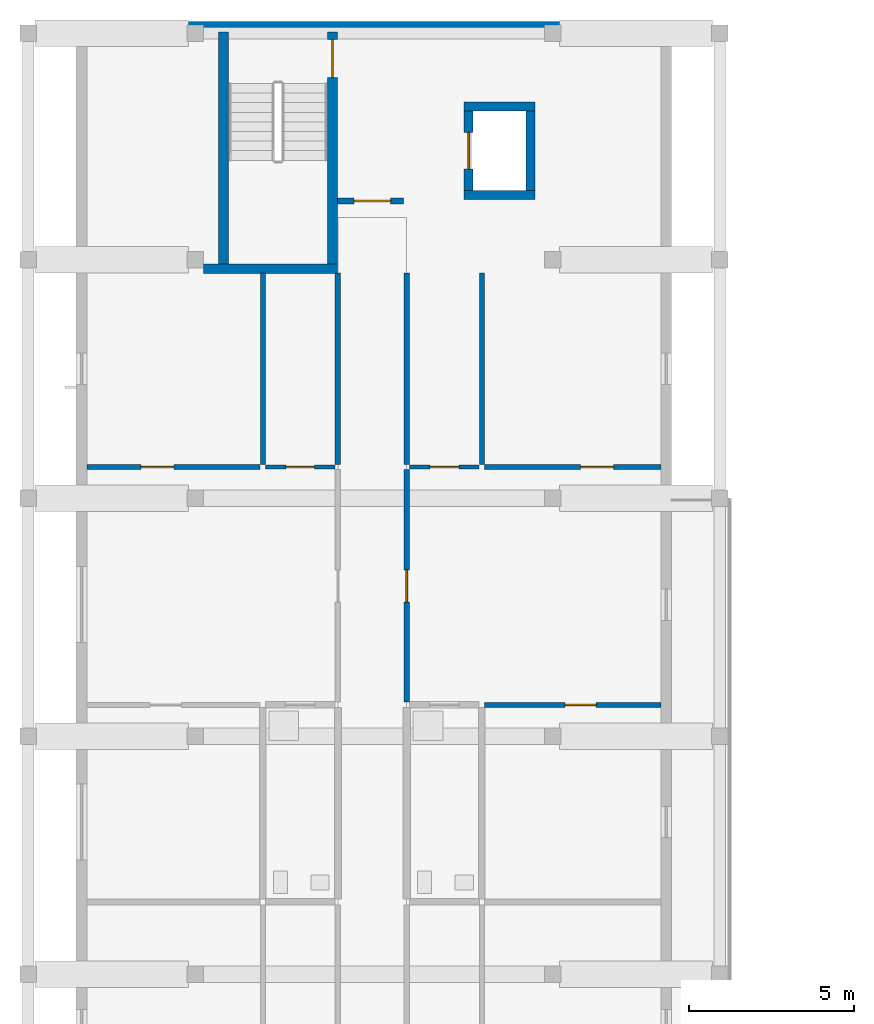
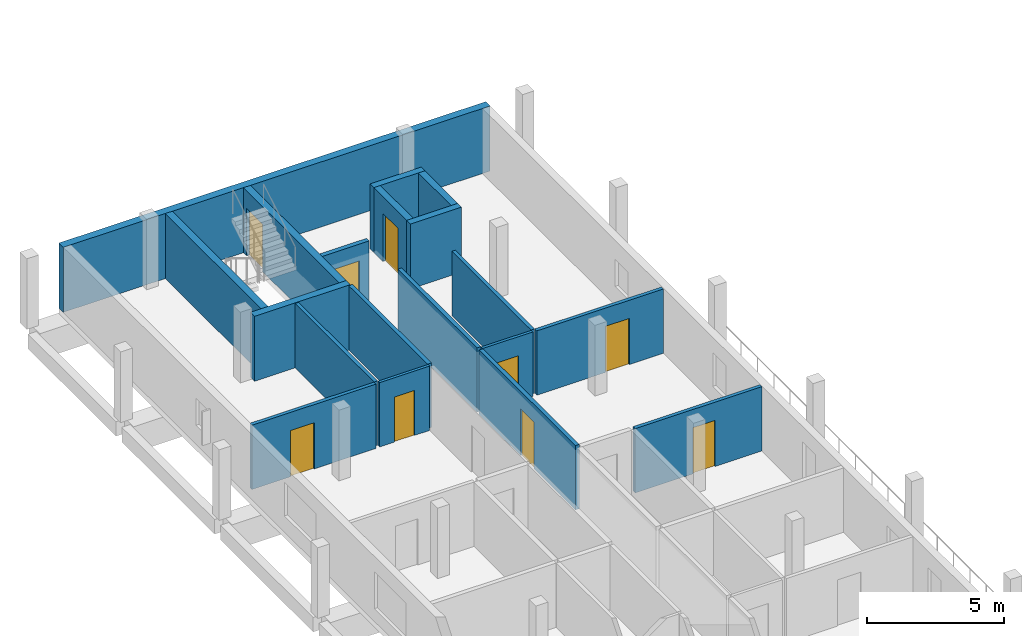
# One storey, part 14 of 29: 19 walls, 9 doors, 9 openings.
"""IFC4 building model written with IfcOpenShell, lengths in metres."""

from ifc_helpers import new_model, si_unit, derived_unit, direction, frame, frame_2d, origin, place, context, subcontext, project, spatial, rectangle, extrude, material, layer, layer_set, type_object, element, fill, save


model = new_model("IFC4")

# Units and contexts
model_context = context("Model", 3, precision=1e-05, world=origin(), true_north=direction((0.0, 1.0)))
body_context = subcontext(model_context, "Body", "Model", "MODEL_VIEW")
ifc_project = project(units=[si_unit("LENGTHUNIT", "METRE"), si_unit("AREAUNIT", "SQUARE_METRE"), si_unit("VOLUMEUNIT", "CUBIC_METRE"), si_unit("PLANEANGLEUNIT", "RADIAN"), si_unit("MASSUNIT", "GRAM", prefix="KILO"), derived_unit("THERMALTRANSMITTANCEUNIT", [(si_unit("MASSUNIT", "GRAM", prefix="KILO"), 1), (si_unit("TIMEUNIT", "SECOND"), -3), (si_unit("THERMODYNAMICTEMPERATUREUNIT", "KELVIN"), -1)])], contexts=[model_context])

# Site, building, storey
site_placement = place(None, origin())
site = spatial("IfcSite", under=ifc_project, at=site_placement, CompositionType="ELEMENT")
building_placement = place(site_placement, origin())
building = spatial("IfcBuilding", under=site, at=building_placement, Name="Ochrekiln Boulevard Commons", CompositionType="ELEMENT")
storey_placement = place(building_placement, frame((0.0, 0.0, 37.27490234375)))
storey = spatial("IfcBuildingStorey", under=building, at=storey_placement, Name="L11", CompositionType="ELEMENT", Elevation=37.27490234375)

# Walls
ifc_material_1 = material(Name="Desert ochre clinker brick masonry ASTM C216 Grade SW", Category="masonry")
ifc_layer_1 = layer(ifc_material_1, 0.320068359375)
ifc_layer_set_1 = layer_set([ifc_layer_1], Name="Desert ochre clinker brick masonry ASTM C216 Grade SW")
wall_type_1 = type_object("IfcWallType", Name="WL-EXT-OCHRE-320", PredefinedType="SOLIDWALL", material=ifc_layer_set_1)
wall_1_placement = place(storey_placement, frame((1.800048828125, 118.639892578125, 0.0), z_axis=(0.0, 0.0, 1.0), x_axis=(1.0, 0.0, 0.0)))
element("IfcWall", 1, at=wall_1_placement, inside=storey, type_object=wall_type_1, Name="Block A L11 N Exterior Wall", PredefinedType="SOLIDWALL", context=body_context, shape_type="SweptSolid", body=[
    extrude(rectangle(XDim=18.0, YDim=0.320068359375, at=frame_2d((9.0, 0.0))), origin(), (0.0, 0.0, 1.0), 2.900146484375),
])
ifc_material_2 = material(Name="Fire-rated Type X gypsum board on steel studs", Category="steel")
ifc_layer_2 = layer(ifc_material_2, 0.1650390625)
ifc_layer_set_2 = layer_set([ifc_layer_2], Name="Fire-rated Type X gypsum board on steel studs")
wall_type_2 = type_object("IfcWallType", Name="WL-PT-CORR-165", PredefinedType="PARTITIONING", material=ifc_layer_set_2)
wall_2_placement = place(storey_placement, frame((9.7099609375, 105.4150390625, 0.0), z_axis=(0.0, 0.0, 1.0), x_axis=(0.0, 1.0, 0.0)))
element("IfcWall", 2, at=wall_2_placement, inside=storey, type_object=wall_type_2, Name="L11 Interior Wall W-PC165", PredefinedType="PARTITIONING", context=body_context, shape_type="SweptSolid", body=[
    extrude(rectangle(XDim=5.784912109375, YDim=0.1650390625, at=frame_2d((2.892578125, 0.0))), origin(), (0.0, 0.0, 1.0), 2.8701171875),
])

# Wall, opening, door
wall_3_placement = place(storey_placement, frame((11.7900390625, 98.22705078125, 0.0), z_axis=(0.0, 0.0, 1.0), x_axis=(0.0, 1.0, 0.0)))
wall_3 = element("IfcWall", 3, at=wall_3_placement, inside=storey, type_object=wall_type_2, Name="L11 Interior Wall W-PC165", PredefinedType="PARTITIONING", context=body_context, shape_type="SweptSolid", body=[
    extrude(rectangle(XDim=7.02783203125, YDim=0.1650390625, at=frame_2d((3.513916015625, 0.0))), origin(), (0.0, 0.0, 1.0), 2.8701171875),
])
opening_1_placement = place(wall_3_placement, frame((3.02392578125, 0.0, 0.0)))
opening_1 = element("IfcOpeningElement", 4, at=opening_1_placement, cuts=wall_3, Name="Opening D-L11-1245", PredefinedType="OPENING", context=body_context, shape_type="SweptSolid", body=[
    extrude(rectangle(XDim=0.97998046875, YDim=2.080078125, at=frame_2d((0.489990234375, 1.0400390625))), frame((0.0, 0.092529296875, 0.0), z_axis=(0.0, -1.0, 0.0), x_axis=(1.0, 0.0, 0.0)), (0.0, 0.0, 1.0), 0.18505859375),
])
ifc_material_3 = material(Name="Solid core architectural oak door leaf")
door_type_1 = type_object("IfcDoorType", Name="DR-APT-60", OperationType="NOTDEFINED", PredefinedType="DOOR", material=ifc_material_3)
door_1_placement = place(opening_1_placement, frame((0.97998046875, 0.0, 0.0), z_axis=(0.0, 0.0, 1.0), x_axis=(-1.0, 0.0, 0.0)))
door_1 = element("IfcDoor", 5, at=door_1_placement, inside=storey, type_object=door_type_1, Name="L11 Interior Door to Two-Bedroom Apartment Living Room", OperationType="SINGLE_SWING_LEFT", OverallHeight=2.080078125, OverallWidth=0.97998046875, PredefinedType="DOOR", context=body_context, shape_type="SweptSolid", body=[
    extrude(rectangle(XDim=0.97998046875, YDim=2.080078125, at=frame_2d((0.489990234375, 1.0400390625))), frame((0.0, 0.02490234375, 0.0), z_axis=(0.0, -1.0, 0.0), x_axis=(1.0, 0.0, 0.0)), (0.0, 0.0, 1.0), 0.050048828125),
])
fill(opening_1, door_1)

# Wall
wall_4_placement = place(storey_placement, frame((11.7900390625, 105.4150390625, 0.0), z_axis=(0.0, 0.0, 1.0), x_axis=(0.0, 1.0, 0.0)))
element("IfcWall", 6, at=wall_4_placement, inside=storey, type_object=wall_type_2, Name="L11 Interior Wall W-PC165", PredefinedType="PARTITIONING", context=body_context, shape_type="SweptSolid", body=[
    extrude(rectangle(XDim=5.784912109375, YDim=0.1650390625, at=frame_2d((2.892578125, 0.0))), origin(), (0.0, 0.0, 1.0), 2.8701171875),
])

# Wall, opening, door
ifc_layer_3 = layer(ifc_material_2, 0.18994140625)
ifc_layer_set_3 = layer_set([ifc_layer_3], Name="Fire-rated Type X gypsum board on steel studs")
wall_type_3 = type_object("IfcWallType", Name="WL-PT-LBY-190", PredefinedType="PARTITIONING", material=ifc_layer_set_3)
wall_5_placement = place(storey_placement, frame((9.699951171875, 113.3798828125, 0.0), z_axis=(0.0, 0.0, 1.0), x_axis=(1.0, 0.0, 0.0)))
wall_5 = element("IfcWall", 7, at=wall_5_placement, inside=storey, type_object=wall_type_3, Name="L11 Interior Wall W-PL190", PredefinedType="PARTITIONING", context=body_context, shape_type="SweptSolid", body=[
    extrude(rectangle(XDim=2.0, YDim=0.18994140625, at=frame_2d((1.0, 0.0))), origin(), (0.0, 0.0, 1.0), 2.8701171875),
])
opening_2_placement = place(wall_5_placement, frame((0.5, 0.0, 0.0)))
opening_2 = element("IfcOpeningElement", 8, at=opening_2_placement, cuts=wall_5, Name="Opening D-L11-1240", PredefinedType="OPENING", context=body_context, shape_type="SweptSolid", body=[
    extrude(rectangle(XDim=1.10009765625, YDim=2.1201171875, at=frame_2d((0.550048828125, 1.06005859375))), frame((0.0, 0.10498046875, 0.0), z_axis=(0.0, -1.0, 0.0), x_axis=(1.0, 0.0, 0.0)), (0.0, 0.0, 1.0), 0.2099609375),
])
ifc_material_4 = material(Name="Hollow metal fire-rated steel door assembly", Category="steel")
door_type_2 = type_object("IfcDoorType", Name="DR-LOBBY-60", OperationType="NOTDEFINED", PredefinedType="DOOR", material=ifc_material_4)
door_2_placement = place(opening_2_placement, origin())
door_2 = element("IfcDoor", 9, at=door_2_placement, inside=storey, type_object=door_type_2, Name="L11 Interior Door to Fire Service Access Elevator Lobby", OperationType="SINGLE_SWING_RIGHT", OverallHeight=2.1201171875, OverallWidth=1.10009765625, PredefinedType="DOOR", context=body_context, shape_type="SweptSolid", body=[
    extrude(rectangle(XDim=1.10009765625, YDim=2.1201171875, at=frame_2d((0.550048828125, 1.06005859375))), frame((0.0, 0.02490234375, 0.0), z_axis=(0.0, -1.0, 0.0), x_axis=(1.0, 0.0, 0.0)), (0.0, 0.0, 1.0), 0.050048828125),
])
fill(opening_2, door_2)

ifc_layer_4 = layer(ifc_material_2, 0.1201171875)
ifc_layer_set_4 = layer_set([ifc_layer_4], Name="Fire-rated Type X gypsum board on steel studs")
wall_type_4 = type_object("IfcWallType", Name="WL-PT-LGT-120", PredefinedType="PARTITIONING", material=ifc_layer_set_4)
wall_6_placement = place(storey_placement, frame((7.52001953125, 105.3349609375, 0.0), z_axis=(0.0, 0.0, 1.0), x_axis=(1.0, 0.0, 0.0)))
wall_6 = element("IfcWall", 10, at=wall_6_placement, inside=storey, type_object=wall_type_4, Name="L11 Interior Wall W-PL120", PredefinedType="PARTITIONING", context=body_context, shape_type="SweptSolid", body=[
    extrude(rectangle(XDim=2.10791015625, YDim=0.1201171875, at=frame_2d((1.053955078125, 0.0))), origin(), (0.0, 0.0, 1.0), 2.8701171875),
])
opening_3_placement = place(wall_6_placement, frame((0.625, 0.0, 0.0)))
opening_3 = element("IfcOpeningElement", 11, at=opening_3_placement, cuts=wall_6, Name="Opening D-L11-1251", PredefinedType="OPENING", context=body_context, shape_type="SweptSolid", body=[
    extrude(rectangle(XDim=0.85009765625, YDim=2.010009765625, at=frame_2d((0.425048828125, 1.0048828125))), frame((0.0, 0.070068359375, 0.0), z_axis=(0.0, -1.0, 0.0), x_axis=(1.0, 0.0, 0.0)), (0.0, 0.0, 1.0), 0.14013671875),
])
door_type_3 = type_object("IfcDoorType", Name="DR-INT-KIT-085", OperationType="NOTDEFINED", PredefinedType="DOOR", material=ifc_material_3)
door_3_placement = place(opening_3_placement, origin())
door_3 = element("IfcDoor", 12, at=door_3_placement, inside=storey, type_object=door_type_3, Name="L11 Interior Door to Apartment Kitchen", OperationType="SINGLE_SWING_LEFT", OverallHeight=2.010009765625, OverallWidth=0.85009765625, PredefinedType="DOOR", context=body_context, shape_type="SweptSolid", body=[
    extrude(rectangle(XDim=0.85009765625, YDim=2.010009765625, at=frame_2d((0.425048828125, 1.0048828125))), frame((0.0, 0.02490234375, 0.0), z_axis=(0.0, -1.0, 0.0), x_axis=(1.0, 0.0, 0.0)), (0.0, 0.0, 1.0), 0.050048828125),
])
fill(opening_3, door_3)

wall_7_placement = place(storey_placement, frame((11.8720703125, 105.3349609375, 0.0), z_axis=(0.0, 0.0, 1.0), x_axis=(1.0, 0.0, 0.0)))
wall_7 = element("IfcWall", 13, at=wall_7_placement, inside=storey, type_object=wall_type_4, Name="L11 Interior Wall W-PL120", PredefinedType="PARTITIONING", context=body_context, shape_type="SweptSolid", body=[
    extrude(rectangle(XDim=2.10791015625, YDim=0.1201171875, at=frame_2d((1.053955078125, 0.0))), origin(), (0.0, 0.0, 1.0), 2.8701171875),
])
opening_4_placement = place(wall_7_placement, frame((0.617919921875, 0.0, 0.0)))
opening_4 = element("IfcOpeningElement", 14, at=opening_4_placement, cuts=wall_7, Name="Opening D-L11-1259", PredefinedType="OPENING", context=body_context, shape_type="SweptSolid", body=[
    extrude(rectangle(XDim=0.8798828125, YDim=2.02001953125, at=frame_2d((0.43994140625, 1.010009765625))), frame((0.0, 0.070068359375, 0.0), z_axis=(0.0, -1.0, 0.0), x_axis=(1.0, 0.0, 0.0)), (0.0, 0.0, 1.0), 0.14013671875),
])
door_type_4 = type_object("IfcDoorType", Name="DR-INT-KIT-088", OperationType="NOTDEFINED", PredefinedType="DOOR", material=ifc_material_3)
door_4_placement = place(opening_4_placement, origin())
door_4 = element("IfcDoor", 15, at=door_4_placement, inside=storey, type_object=door_type_4, Name="L11 Interior Door to Apartment Kitchen", OperationType="SINGLE_SWING_LEFT", OverallHeight=2.02001953125, OverallWidth=0.8798828125, PredefinedType="DOOR", context=body_context, shape_type="SweptSolid", body=[
    extrude(rectangle(XDim=0.8798828125, YDim=2.02001953125, at=frame_2d((0.43994140625, 1.010009765625))), frame((0.0, 0.02490234375, 0.0), z_axis=(0.0, -1.0, 0.0), x_axis=(1.0, 0.0, 0.0)), (0.0, 0.0, 1.0), 0.050048828125),
])
fill(opening_4, door_4)

ifc_layer_5 = layer(ifc_material_2, 0.14990234375)
ifc_layer_set_5 = layer_set([ifc_layer_5], Name="Fire-rated Type X gypsum board on steel studs")
wall_type_5 = type_object("IfcWallType", Name="WL-PT-STD-150", PredefinedType="PARTITIONING", material=ifc_layer_set_5)
wall_8_placement = place(storey_placement, frame((2.1201171875, 105.3349609375, 0.0), z_axis=(0.0, 0.0, 1.0), x_axis=(1.0, 0.0, 0.0)))
wall_8 = element("IfcWall", 16, at=wall_8_placement, inside=storey, type_object=wall_type_5, Name="L11 Interior Wall W-PS150", PredefinedType="PARTITIONING", context=body_context, shape_type="SweptSolid", body=[
    extrude(rectangle(XDim=5.239990234375, YDim=0.14990234375, at=frame_2d((2.6201171875, 0.0))), origin(), (0.0, 0.0, 1.0), 2.8701171875),
])
opening_5_placement = place(wall_8_placement, frame((1.635009765625, 0.0, 0.0)))
opening_5 = element("IfcOpeningElement", 17, at=opening_5_placement, cuts=wall_8, Name="Opening D-L11-1253", PredefinedType="OPENING", context=body_context, shape_type="SweptSolid", body=[
    extrude(rectangle(XDim=1.0, YDim=2.06005859375, at=frame_2d((0.5, 1.030029296875))), frame((0.0, 0.0849609375, 0.0), z_axis=(0.0, -1.0, 0.0), x_axis=(1.0, 0.0, 0.0)), (0.0, 0.0, 1.0), 0.169921875),
])
door_type_5 = type_object("IfcDoorType", Name="DR-INT-BED-100", OperationType="NOTDEFINED", PredefinedType="DOOR", material=ifc_material_3)
door_5_placement = place(opening_5_placement, origin())
door_5 = element("IfcDoor", 18, at=door_5_placement, inside=storey, type_object=door_type_5, Name="L11 Interior Door to Secondary Apartment Bedroom", OperationType="SINGLE_SWING_LEFT", OverallHeight=2.06005859375, OverallWidth=1.0, PredefinedType="DOOR", context=body_context, shape_type="SweptSolid", body=[
    extrude(rectangle(XDim=1.0, YDim=2.06005859375, at=frame_2d((0.5, 1.030029296875))), frame((0.0, 0.02490234375, 0.0), z_axis=(0.0, -1.0, 0.0), x_axis=(1.0, 0.0, 0.0)), (0.0, 0.0, 1.0), 0.050048828125),
])
fill(opening_5, door_5)

# Wall
wall_9_placement = place(storey_placement, frame((7.43994140625, 105.409912109375, 0.0), z_axis=(0.0, 0.0, 1.0), x_axis=(0.0, 1.0, 0.0)))
element("IfcWall", 19, at=wall_9_placement, inside=storey, type_object=wall_type_5, Name="L11 Interior Wall W-PS150", PredefinedType="PARTITIONING", context=body_context, shape_type="SweptSolid", body=[
    extrude(rectangle(XDim=5.7900390625, YDim=0.14990234375, at=frame_2d((2.89501953125, 0.0))), origin(), (0.0, 0.0, 1.0), 2.8701171875),
])

# Wall, opening, door
wall_10_placement = place(storey_placement, frame((14.139892578125, 98.14697265625, 0.0), z_axis=(0.0, 0.0, 1.0), x_axis=(1.0, 0.0, 0.0)))
wall_10 = element("IfcWall", 20, at=wall_10_placement, inside=storey, type_object=wall_type_5, Name="L11 Interior Wall W-PS150", PredefinedType="PARTITIONING", context=body_context, shape_type="SweptSolid", body=[
    extrude(rectangle(XDim=5.340087890625, YDim=0.14990234375, at=frame_2d((2.669921875, 0.0))), origin(), (0.0, 0.0, 1.0), 2.8701171875),
])
opening_6_placement = place(wall_10_placement, frame((2.43505859375, 0.0, 0.0)))
opening_6 = element("IfcOpeningElement", 21, at=opening_6_placement, cuts=wall_10, Name="Opening D-L11-1260", PredefinedType="OPENING", context=body_context, shape_type="SweptSolid", body=[
    extrude(rectangle(XDim=0.93994140625, YDim=2.06005859375, at=frame_2d((0.469970703125, 1.030029296875))), frame((0.0, 0.0849609375, 0.0), z_axis=(0.0, -1.0, 0.0), x_axis=(1.0, 0.0, 0.0)), (0.0, 0.0, 1.0), 0.169921875),
])
door_type_6 = type_object("IfcDoorType", Name="DR-INT-BED-094", OperationType="NOTDEFINED", PredefinedType="DOOR", material=ifc_material_3)
door_6_placement = place(opening_6_placement, frame((0.93994140625, 0.0, 0.0), z_axis=(0.0, 0.0, 1.0), x_axis=(-1.0, 0.0, 0.0)))
door_6 = element("IfcDoor", 22, at=door_6_placement, inside=storey, type_object=door_type_6, Name="L11 Interior Door to Primary Apartment Bedroom", OperationType="SINGLE_SWING_RIGHT", OverallHeight=2.06005859375, OverallWidth=0.93994140625, PredefinedType="DOOR", context=body_context, shape_type="SweptSolid", body=[
    extrude(rectangle(XDim=0.93994140625, YDim=2.06005859375, at=frame_2d((0.469970703125, 1.030029296875))), frame((0.0, 0.02490234375, 0.0), z_axis=(0.0, -1.0, 0.0), x_axis=(1.0, 0.0, 0.0)), (0.0, 0.0, 1.0), 0.050048828125),
])
fill(opening_6, door_6)

wall_11_placement = place(storey_placement, frame((14.139892578125, 105.3349609375, 0.0), z_axis=(0.0, 0.0, 1.0), x_axis=(1.0, 0.0, 0.0)))
wall_11 = element("IfcWall", 23, at=wall_11_placement, inside=storey, type_object=wall_type_5, Name="L11 Interior Wall W-PS150", PredefinedType="PARTITIONING", context=body_context, shape_type="SweptSolid", body=[
    extrude(rectangle(XDim=5.340087890625, YDim=0.14990234375, at=frame_2d((2.669921875, 0.0))), origin(), (0.0, 0.0, 1.0), 2.8701171875),
])
opening_7_placement = place(wall_11_placement, frame((2.905029296875, 0.0, 0.0)))
opening_7 = element("IfcOpeningElement", 24, at=opening_7_placement, cuts=wall_11, Name="Opening D-L11-1261", PredefinedType="OPENING", context=body_context, shape_type="SweptSolid", body=[
    extrude(rectangle(XDim=1.0, YDim=2.06005859375, at=frame_2d((0.5, 1.030029296875))), frame((0.0, 0.0849609375, 0.0), z_axis=(0.0, -1.0, 0.0), x_axis=(1.0, 0.0, 0.0)), (0.0, 0.0, 1.0), 0.169921875),
])
door_7_placement = place(opening_7_placement, origin())
door_7 = element("IfcDoor", 25, at=door_7_placement, inside=storey, type_object=door_type_5, Name="L11 Interior Door to Secondary Apartment Bedroom", OperationType="SINGLE_SWING_LEFT", OverallHeight=2.06005859375, OverallWidth=1.0, PredefinedType="DOOR", context=body_context, shape_type="SweptSolid", body=[
    extrude(rectangle(XDim=1.0, YDim=2.06005859375, at=frame_2d((0.5, 1.030029296875))), frame((0.0, 0.02490234375, 0.0), z_axis=(0.0, -1.0, 0.0), x_axis=(1.0, 0.0, 0.0)), (0.0, 0.0, 1.0), 0.050048828125),
])
fill(opening_7, door_7)

# Walls
wall_12_placement = place(storey_placement, frame((14.06005859375, 105.409912109375, 0.0), z_axis=(0.0, 0.0, 1.0), x_axis=(0.0, 1.0, 0.0)))
element("IfcWall", 26, at=wall_12_placement, inside=storey, type_object=wall_type_5, Name="L11 Interior Wall W-PS150", PredefinedType="PARTITIONING", context=body_context, shape_type="SweptSolid", body=[
    extrude(rectangle(XDim=5.7900390625, YDim=0.14990234375, at=frame_2d((2.89501953125, 0.0))), origin(), (0.0, 0.0, 1.0), 2.8701171875),
])
ifc_material_5 = material(Name="Concrete C40/50", Category="concrete")
ifc_layer_6 = layer(ifc_material_5, 0.27490234375)
ifc_layer_set_6 = layer_set([ifc_layer_6], Name="Concrete C40/50")
wall_type_6 = type_object("IfcWallType", Name="WL-SH-275", PredefinedType="SHEAR", material=ifc_layer_set_6)
for number, where, z_axis, x_axis, name in (
    (27, (13.52490234375, 113.5625, 0.0), (0.0, 0.0, 1.0), (1.0, 0.0, 0.0), "Elevator FF-A2 L11 Hoistway Shear Wall"),
    (28, (13.52490234375, 116.237548828125, 0.0), (0.0, 0.0, 1.0), (1.0, 0.0, 0.0), "Elevator FF-A2 L11 Hoistway Shear Wall"),
):
    element("IfcWall", number, at=place(storey_placement, frame(where, z_axis=z_axis, x_axis=x_axis)), inside=storey, type_object=wall_type_6, Name=name, PredefinedType="SHEAR", context=body_context, shape_type="SweptSolid", body=[
        extrude(rectangle(XDim=2.150146484375, YDim=0.27490234375, at=frame_2d((1.0751953125, 0.0))), origin(), (0.0, 0.0, 1.0), 2.900146484375),
    ])

# Wall, opening, door
wall_13_placement = place(storey_placement, frame((13.66259765625, 113.699951171875, 0.0), z_axis=(0.0, 0.0, 1.0), x_axis=(0.0, 1.0, 0.0)))
wall_13 = element("IfcWall", 29, at=wall_13_placement, inside=storey, type_object=wall_type_6, Name="Elevator FF-A2 L11 Hoistway Shear Wall", PredefinedType="SHEAR", context=body_context, shape_type="SweptSolid", body=[
    extrude(rectangle(XDim=2.400146484375, YDim=0.27490234375, at=frame_2d((1.2001953125, 0.0))), origin(), (0.0, 0.0, 1.0), 2.900146484375),
])
opening_8_placement = place(wall_13_placement, frame((0.64990234375, 0.0, 0.0)))
opening_8 = element("IfcOpeningElement", 30, at=opening_8_placement, cuts=wall_13, Name="Opening LD-FF-A2-L11", PredefinedType="OPENING", context=body_context, shape_type="SweptSolid", body=[
    extrude(rectangle(XDim=1.10009765625, YDim=2.14990234375, at=frame_2d((0.550048828125, 1.074951171875))), frame((0.0, 0.1474609375, 0.0), z_axis=(0.0, -1.0, 0.0), x_axis=(1.0, 0.0, 0.0)), (0.0, 0.0, 1.0), 0.294921875),
])
ifc_material_6 = material(Name="Brushed stainless steel 316 elevator cab and doors", Category="steel")
door_type_7 = type_object("IfcDoorType", Name="DR-LIFT-LD90", OperationType="SLIDING_TO_LEFT", PredefinedType="DOOR", material=ifc_material_6)
door_8_placement = place(opening_8_placement, origin())
door_8 = element("IfcDoor", 31, at=door_8_placement, inside=storey, type_object=door_type_7, Name="Elevator FF-A2 L11 Sliding Landing Door LD-FF-A2-L11", OperationType="SLIDING_TO_LEFT", OverallHeight=2.14990234375, OverallWidth=1.10009765625, PredefinedType="DOOR", context=body_context, shape_type="SweptSolid", body=[
    extrude(rectangle(XDim=1.10009765625, YDim=2.14990234375, at=frame_2d((0.550048828125, 1.074951171875))), frame((0.0, 0.02490234375, 0.0), z_axis=(0.0, -1.0, 0.0), x_axis=(1.0, 0.0, 0.0)), (0.0, 0.0, 1.0), 0.050048828125),
])
fill(opening_8, door_8)

# Walls
wall_14_placement = place(storey_placement, frame((15.53759765625, 113.699951171875, 0.0), z_axis=(0.0, 0.0, 1.0), x_axis=(0.0, 1.0, 0.0)))
element("IfcWall", 32, at=wall_14_placement, inside=storey, type_object=wall_type_6, Name="Elevator FF-A2 L11 Hoistway Shear Wall", PredefinedType="SHEAR", context=body_context, shape_type="SweptSolid", body=[
    extrude(rectangle(XDim=2.400146484375, YDim=0.27490234375, at=frame_2d((1.2001953125, 0.0))), origin(), (0.0, 0.0, 1.0), 2.900146484375),
])
ifc_layer_7 = layer(ifc_material_5, 0.300048828125)
ifc_layer_set_7 = layer_set([ifc_layer_7], Name="Concrete C40/50")
wall_type_7 = type_object("IfcWallType", Name="WL-SH-300", PredefinedType="SHEAR", material=ifc_layer_set_7)
wall_15_placement = place(storey_placement, frame((5.64990234375, 111.330078125, 0.0), z_axis=(0.0, 0.0, 1.0), x_axis=(1.0, 0.0, 0.0)))
element("IfcWall", 33, at=wall_15_placement, inside=storey, type_object=wall_type_7, Name="Stair ST-A2 L11 Core Shear Wall S", PredefinedType="SHEAR", context=body_context, shape_type="SweptSolid", body=[
    extrude(rectangle(XDim=4.050048828125, YDim=0.300048828125, at=frame_2d((2.02490234375, 0.0))), origin(), (0.0, 0.0, 1.0), 2.900146484375),
])
wall_16_placement = place(storey_placement, frame((6.25, 111.47998046875, 0.0), z_axis=(0.0, 0.0, 1.0), x_axis=(0.0, 1.0, 0.0)))
element("IfcWall", 34, at=wall_16_placement, inside=storey, type_object=wall_type_7, Name="Stair ST-A2 L11 Core Shear Wall W", PredefinedType="SHEAR", context=body_context, shape_type="SweptSolid", body=[
    extrude(rectangle(XDim=7.0, YDim=0.300048828125, at=frame_2d((3.5, 0.0))), origin(), (0.0, 0.0, 1.0), 2.900146484375),
])

# Wall, opening, door
wall_17_placement = place(storey_placement, frame((9.550048828125, 111.47998046875, 0.0), z_axis=(0.0, 0.0, 1.0), x_axis=(0.0, 1.0, 0.0)))
wall_17 = element("IfcWall", 35, at=wall_17_placement, inside=storey, type_object=wall_type_7, Name="Stair ST-A2 L11 Core Shear Wall E", PredefinedType="SHEAR", context=body_context, shape_type="SweptSolid", body=[
    extrude(rectangle(XDim=7.0, YDim=0.300048828125, at=frame_2d((3.5, 0.0))), origin(), (0.0, 0.0, 1.0), 2.900146484375),
])
opening_9_placement = place(wall_17_placement, frame((5.625, 0.0, 0.0)))
opening_9 = element("IfcOpeningElement", 36, at=opening_9_placement, cuts=wall_17, Name="Opening D-L11-ST-A2", PredefinedType="OPENING", context=body_context, shape_type="SweptSolid", body=[
    extrude(rectangle(XDim=1.14990234375, YDim=2.1201171875, at=frame_2d((0.574951171875, 1.06005859375))), frame((0.0, 0.159912109375, 0.0), z_axis=(0.0, -1.0, 0.0), x_axis=(1.0, 0.0, 0.0)), (0.0, 0.0, 1.0), 0.320068359375),
])
door_type_8 = type_object("IfcDoorType", Name="DR-STAIR-90", OperationType="NOTDEFINED", PredefinedType="DOOR", material=ifc_material_4)
door_9_placement = place(opening_9_placement, origin())
door_9 = element("IfcDoor", 37, at=door_9_placement, inside=storey, type_object=door_type_8, Name="Enclosed Exit Stair ST-A2 L11 Rated Door", OperationType="SINGLE_SWING_LEFT", OverallHeight=2.1201171875, OverallWidth=1.14990234375, PredefinedType="DOOR", context=body_context, shape_type="SweptSolid", body=[
    extrude(rectangle(XDim=1.14990234375, YDim=2.1201171875, at=frame_2d((0.574951171875, 1.06005859375))), frame((0.0, 0.02490234375, 0.0), z_axis=(0.0, -1.0, 0.0), x_axis=(1.0, 0.0, 0.0)), (0.0, 0.0, 1.0), 0.050048828125),
])
fill(opening_9, door_9)

save(model, "model.ifc")
